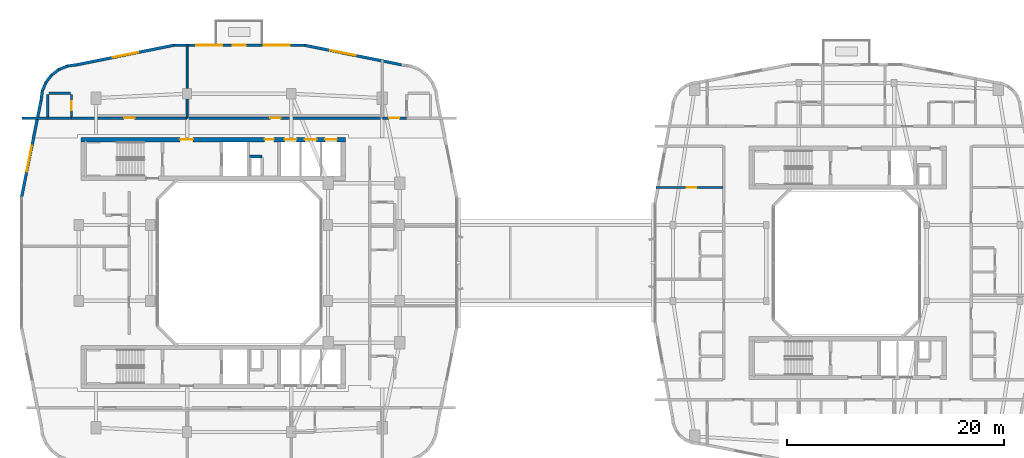
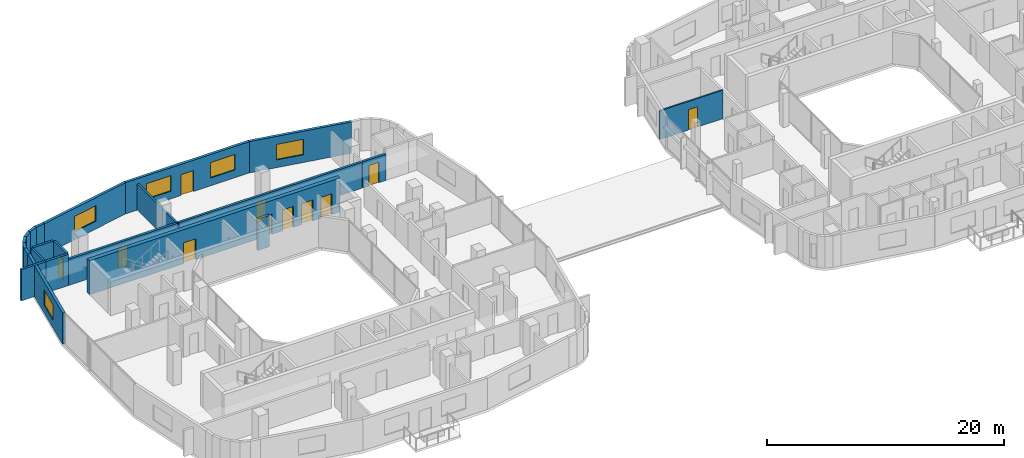
# One storey, part 11 of 22: 22 walls, 11 doors, 5 windows, 16 openings.
"""IFC4 building model written with IfcOpenShell, lengths in metres."""

from ifc_helpers import new_model, si_unit, derived_unit, direction, frame, frame_2d, origin, place, context, subcontext, project, spatial, rectangle, extrude, material, layer, layer_set, type_object, element, fill, save


model = new_model("IFC4")

# Units and contexts
model_context = context("Model", 3, precision=1e-05, world=origin(), true_north=direction((0.0, 1.0)))
body_context = subcontext(model_context, "Body", "Model", "MODEL_VIEW")
ifc_project = project(units=[si_unit("LENGTHUNIT", "METRE"), si_unit("AREAUNIT", "SQUARE_METRE"), si_unit("VOLUMEUNIT", "CUBIC_METRE"), si_unit("PLANEANGLEUNIT", "RADIAN"), si_unit("MASSUNIT", "GRAM", prefix="KILO"), derived_unit("THERMALTRANSMITTANCEUNIT", [(si_unit("POWERUNIT", "WATT"), 1), (si_unit("LENGTHUNIT", "METRE"), -2), (si_unit("THERMODYNAMICTEMPERATUREUNIT", "KELVIN"), -1)])], contexts=[model_context])

# Site, building, storey
site_placement = place(None, origin())
site = spatial("IfcSite", under=ifc_project, at=site_placement, CompositionType="ELEMENT")
building_placement = place(site_placement, origin())
building = spatial("IfcBuilding", under=site, at=building_placement, Name="Kivonza Crest Hotel", CompositionType="ELEMENT")
storey_placement = place(building_placement, frame((0.0, 0.0, 124.0)))
storey = spatial("IfcBuildingStorey", under=building, at=storey_placement, Name="L33", CompositionType="ELEMENT", Elevation=124.0)

# Walls
ifc_material_1 = material(Name="High-density acoustic masonry inter-tenancy wall", Category="masonry")
ifc_layer_1 = layer(ifc_material_1, 0.179931640625)
ifc_layer_set_1 = layer_set([ifc_layer_1], Name="High-density acoustic masonry inter-tenancy wall")
wall_type_1 = type_object("IfcWallType", Name="WL-ACOU-180", PredefinedType="SOLIDWALL", material=ifc_layer_set_1)
wall_1_placement = place(storey_placement, frame((16.199951171875, 38.35009765625, 0.0), z_axis=(0.0, 0.0, 1.0), x_axis=(0.0, 1.0, 0.0)))
element("IfcWall", 1, at=wall_1_placement, inside=storey, type_object=wall_type_1, Name="L33 interior partition WA-L33-T1N-DIV1", PredefinedType="SOLIDWALL", context=body_context, shape_type="SweptSolid", body=[
    extrude(rectangle(XDim=6.789794921875, YDim=0.179931640625, at=frame_2d((3.39501953125, 0.0))), origin(), (0.0, 0.0, 1.0), 2.695068359375),
])
ifc_material_2 = material(Name="Autoclaved aerated concrete blockwork", Category="masonry")
ifc_layer_2 = layer(ifc_material_2, 0.219970703125)
ifc_layer_set_2 = layer_set([ifc_layer_2], Name="Autoclaved aerated concrete blockwork")
wall_type_2 = type_object("IfcWallType", Name="WL-ACOU-220", PredefinedType="SOLIDWALL", material=ifc_layer_set_2)
wall_2_placement = place(storey_placement, frame((0.9599609375, 38.35009765625, 0.0), z_axis=(0.0, 0.0, 1.0), x_axis=(1.0, 0.0, 0.0)))
element("IfcWall", 2, at=wall_2_placement, inside=storey, type_object=wall_type_2, Name="L33 interior partition WA-L33-N01-XCORR", PredefinedType="SOLIDWALL", context=body_context, shape_type="SweptSolid", body=[
    extrude(rectangle(XDim=2.39013671875, YDim=0.219970703125, at=frame_2d((1.195068359375, 0.0))), origin(), (0.0, 0.0, 1.0), 3.219970703125),
])
wall_3_placement = place(storey_placement, frame((3.35009765625, 38.35009765625, 0.0), z_axis=(0.0, 0.0, 1.0), x_axis=(1.0, 0.0, 0.0)))
element("IfcWall", 3, at=wall_3_placement, inside=storey, type_object=wall_type_2, Name="L33 interior partition WA-L33-N01-BCORR", PredefinedType="SOLIDWALL", context=body_context, shape_type="SweptSolid", body=[
    extrude(rectangle(XDim=2.199951171875, YDim=0.219970703125, at=frame_2d((1.10009765625, 0.0))), origin(), (0.0, 0.0, 1.0), 3.219970703125),
])

# Wall, opening, door
wall_4_placement = place(storey_placement, frame((5.550048828125, 38.35009765625, 0.0), z_axis=(0.0, 0.0, 1.0), x_axis=(1.0, 0.0, 0.0)))
wall_4 = element("IfcWall", 4, at=wall_4_placement, inside=storey, type_object=wall_type_2, Name="L33 interior partition WA-L33-N01-MCORR", PredefinedType="SOLIDWALL", context=body_context, shape_type="SweptSolid", body=[
    extrude(rectangle(XDim=10.64990234375, YDim=0.219970703125, at=frame_2d((5.324951171875, 0.0))), origin(), (0.0, 0.0, 1.0), 2.695068359375),
])
opening_1_placement = place(wall_4_placement, frame((4.85009765625, 0.0, 0.0)))
opening_1 = element("IfcOpeningElement", 5, at=opening_1_placement, cuts=wall_4, Name="Opening DU-60", PredefinedType="OPENING", context=body_context, shape_type="SweptSolid", body=[
    extrude(rectangle(XDim=0.949951171875, YDim=2.10009765625, at=frame_2d((0.47509765625, 1.050048828125))), frame((0.0, 0.1201171875, 0.0), z_axis=(0.0, -1.0, 0.0), x_axis=(1.0, 0.0, 0.0)), (0.0, 0.0, 1.0), 0.239990234375),
])
ifc_material_3 = material(Name="Hardwood timber oak", Category="wood")
door_type_1 = type_object("IfcDoorType", Name="DR-UNIT-950", OperationType="NOTDEFINED", PredefinedType="DOOR", material=ifc_material_3)
door_1_placement = place(opening_1_placement, origin())
door_1 = element("IfcDoor", 6, at=door_1_placement, inside=storey, type_object=door_type_1, Name="L33 N01 guest unit entrance fire door", OperationType="SINGLE_SWING_LEFT", OverallHeight=2.10009765625, OverallWidth=0.949951171875, PredefinedType="DOOR", context=body_context, shape_type="SweptSolid", body=[
    extrude(rectangle(XDim=0.949951171875, YDim=2.10009765625, at=frame_2d((0.47509765625, 1.050048828125))), frame((0.0, 0.02490234375, 0.0), z_axis=(0.0, -1.0, 0.0), x_axis=(1.0, 0.0, 0.0)), (0.0, 0.0, 1.0), 0.050048828125),
])
fill(opening_1, door_1)

wall_5_placement = place(storey_placement, frame((16.300048828125, 38.35009765625, 0.0), z_axis=(0.0, 0.0, 1.0), x_axis=(1.0, 0.0, 0.0)))
wall_5 = element("IfcWall", 7, at=wall_5_placement, inside=storey, type_object=wall_type_2, Name="L33 interior partition WA-L33-HK-MAIN-S", PredefinedType="SOLIDWALL", context=body_context, shape_type="SweptSolid", body=[
    extrude(rectangle(XDim=17.800048828125, YDim=0.219970703125, at=frame_2d((8.89990234375, 0.0))), origin(), (0.0, 0.0, 1.0), 2.695068359375),
])
opening_2_placement = place(wall_5_placement, frame((7.572998046875, 0.0, 0.0)))
opening_2 = element("IfcOpeningElement", 8, at=opening_2_placement, cuts=wall_5, Name="Opening DF-60S", PredefinedType="OPENING", context=body_context, shape_type="SweptSolid", body=[
    extrude(rectangle(XDim=0.949951171875, YDim=2.10009765625, at=frame_2d((0.47509765625, 1.050048828125))), frame((0.0, 0.1201171875, 0.0), z_axis=(0.0, -1.0, 0.0), x_axis=(1.0, 0.0, 0.0)), (0.0, 0.0, 1.0), 0.239990234375),
])
door_type_2 = type_object("IfcDoorType", Name="DR-FD60-950", OperationType="NOTDEFINED", PredefinedType="DOOR", material=ifc_material_3)
door_2_placement = place(opening_2_placement, origin())
door_2 = element("IfcDoor", 9, at=door_2_placement, inside=storey, type_object=door_type_2, Name="L33 Housekeeping and Linen Room door", OperationType="SINGLE_SWING_RIGHT", OverallHeight=2.10009765625, OverallWidth=0.949951171875, PredefinedType="DOOR", context=body_context, shape_type="SweptSolid", body=[
    extrude(rectangle(XDim=0.949951171875, YDim=2.10009765625, at=frame_2d((0.47509765625, 1.050048828125))), frame((0.0, 0.02490234375, 0.0), z_axis=(0.0, -1.0, 0.0), x_axis=(1.0, 0.0, 0.0)), (0.0, 0.0, 1.0), 0.050048828125),
])
fill(opening_2, door_2)

wall_6_placement = place(storey_placement, frame((34.199951171875, 38.35009765625, 0.0), z_axis=(0.0, 0.0, 1.0), x_axis=(1.0, 0.0, 0.0)))
wall_6 = element("IfcWall", 10, at=wall_6_placement, inside=storey, type_object=wall_type_2, Name="L33 interior partition WA-L33-N02-MCORR", PredefinedType="SOLIDWALL", context=body_context, shape_type="SweptSolid", body=[
    extrude(rectangle(XDim=2.25, YDim=0.219970703125, at=frame_2d((1.125, 0.0))), origin(), (0.0, 0.0, 1.0), 2.695068359375),
])
opening_3_placement = place(wall_6_placement, frame((0.6298828125, 0.0, 0.0)))
opening_3 = element("IfcOpeningElement", 11, at=opening_3_placement, cuts=wall_6, Name="Opening DU-60", PredefinedType="OPENING", context=body_context, shape_type="SweptSolid", body=[
    extrude(rectangle(XDim=0.949951171875, YDim=2.10009765625, at=frame_2d((0.47509765625, 1.050048828125))), frame((0.0, 0.1201171875, 0.0), z_axis=(0.0, -1.0, 0.0), x_axis=(1.0, 0.0, 0.0)), (0.0, 0.0, 1.0), 0.239990234375),
])
door_3_placement = place(opening_3_placement, origin())
door_3 = element("IfcDoor", 12, at=door_3_placement, inside=storey, type_object=door_type_1, Name="L33 N02 guest unit entrance fire door", OperationType="SINGLE_SWING_RIGHT", OverallHeight=2.10009765625, OverallWidth=0.949951171875, PredefinedType="DOOR", context=body_context, shape_type="SweptSolid", body=[
    extrude(rectangle(XDim=0.949951171875, YDim=2.10009765625, at=frame_2d((0.47509765625, 1.050048828125))), frame((0.0, 0.02490234375, 0.0), z_axis=(0.0, -1.0, 0.0), x_axis=(1.0, 0.0, 0.0)), (0.0, 0.0, 1.0), 0.050048828125),
])
fill(opening_3, door_3)

# Wall, openings, doors
ifc_material_4 = material(Name="Concrete C50/60", Category="concrete")
ifc_layer_3 = layer(ifc_material_4, 0.39990234375)
ifc_layer_set_3 = layer_set([ifc_layer_3], Name="Concrete C50/60")
wall_type_3 = type_object("IfcWallType", Name="WL-CORE-400", PredefinedType="SHEAR", material=ifc_layer_set_3)
wall_7_placement = place(storey_placement, frame((6.39990234375, 36.360107421875, 0.0), z_axis=(0.0, 0.0, 1.0), x_axis=(1.0, 0.0, 0.0)))
wall_7 = element("IfcWall", 13, at=wall_7_placement, inside=storey, type_object=wall_type_3, Name="Core wall T1-N North L33", PredefinedType="SHEAR", context=body_context, shape_type="SweptSolid", body=[
    extrude(rectangle(XDim=24.400146484375, YDim=0.39990234375, at=frame_2d((12.2001953125, 0.0))), origin(), (0.0, 0.0, 1.0), 3.5),
])
opening_4_placement = place(wall_7_placement, frame((9.14990234375, 0.0, 0.0)))
opening_4 = element("IfcOpeningElement", 14, at=opening_4_placement, cuts=wall_7, Name="Opening DF-60", PredefinedType="OPENING", context=body_context, shape_type="SweptSolid", body=[
    extrude(rectangle(XDim=1.199951171875, YDim=2.14990234375, at=frame_2d((0.60009765625, 1.074951171875))), frame((0.0, 0.2099609375, 0.0), z_axis=(0.0, -1.0, 0.0), x_axis=(1.0, 0.0, 0.0)), (0.0, 0.0, 1.0), 0.419921875),
])
opening_5_placement = place(wall_7_placement, frame((16.93994140625, 0.0, 0.0)))
opening_5 = element("IfcOpeningElement", 15, at=opening_5_placement, cuts=wall_7, Name="Opening DF-60R", PredefinedType="OPENING", context=body_context, shape_type="SweptSolid", body=[
    extrude(rectangle(XDim=0.85009765625, YDim=2.10009765625, at=frame_2d((0.425048828125, 1.050048828125))), frame((0.0, 0.2099609375, 0.0), z_axis=(0.0, -1.0, 0.0), x_axis=(1.0, 0.0, 0.0)), (0.0, 0.0, 1.0), 0.419921875),
])
opening_6_placement = place(wall_7_placement, frame((18.782958984375, 0.0, 0.0)))
opening_6 = element("IfcOpeningElement", 16, at=opening_6_placement, cuts=wall_7, Name="Opening LD-120", PredefinedType="OPENING", context=body_context, shape_type="SweptSolid", body=[
    extrude(rectangle(XDim=1.10009765625, YDim=2.14990234375, at=frame_2d((0.550048828125, 1.074951171875))), frame((0.0, 0.2099609375, 0.0), z_axis=(0.0, -1.0, 0.0), x_axis=(1.0, 0.0, 0.0)), (0.0, 0.0, 1.0), 0.419921875),
])
opening_7_placement = place(wall_7_placement, frame((20.64990234375, 0.0, 0.0)))
opening_7 = element("IfcOpeningElement", 17, at=opening_7_placement, cuts=wall_7, Name="Opening LD-120", PredefinedType="OPENING", context=body_context, shape_type="SweptSolid", body=[
    extrude(rectangle(XDim=1.10009765625, YDim=2.14990234375, at=frame_2d((0.550048828125, 1.074951171875))), frame((0.0, 0.2099609375, 0.0), z_axis=(0.0, -1.0, 0.0), x_axis=(1.0, 0.0, 0.0)), (0.0, 0.0, 1.0), 0.419921875),
])
opening_8_placement = place(wall_7_placement, frame((22.51708984375, 0.0, 0.0)))
opening_8 = element("IfcOpeningElement", 18, at=opening_8_placement, cuts=wall_7, Name="Opening LD-120", PredefinedType="OPENING", context=body_context, shape_type="SweptSolid", body=[
    extrude(rectangle(XDim=1.10009765625, YDim=2.14990234375, at=frame_2d((0.550048828125, 1.074951171875))), frame((0.0, 0.2099609375, 0.0), z_axis=(0.0, -1.0, 0.0), x_axis=(1.0, 0.0, 0.0)), (0.0, 0.0, 1.0), 0.419921875),
])
door_type_3 = type_object("IfcDoorType", Name="DR-FD60-1200", OperationType="NOTDEFINED", PredefinedType="DOOR", material=ifc_material_3)
door_4_placement = place(opening_4_placement, origin())
door_4 = element("IfcDoor", 19, at=door_4_placement, inside=storey, type_object=door_type_3, Name="L33 T1-N firefighting lobby fire door", OperationType="SINGLE_SWING_RIGHT", OverallHeight=2.14990234375, OverallWidth=1.199951171875, PredefinedType="DOOR", context=body_context, shape_type="SweptSolid", body=[
    extrude(rectangle(XDim=1.199951171875, YDim=2.14990234375, at=frame_2d((0.60009765625, 1.074951171875))), frame((0.0, 0.02490234375, 0.0), z_axis=(0.0, -1.0, 0.0), x_axis=(1.0, 0.0, 0.0)), (0.0, 0.0, 1.0), 0.050048828125),
])
fill(opening_4, door_4)
door_type_4 = type_object("IfcDoorType", Name="DR-FD60-850", OperationType="NOTDEFINED", PredefinedType="DOOR", material=ifc_material_3)
door_5_placement = place(opening_5_placement, origin())
door_5 = element("IfcDoor", 20, at=door_5_placement, inside=storey, type_object=door_type_4, Name="L33 T1-N core room door", OperationType="SINGLE_SWING_RIGHT", OverallHeight=2.10009765625, OverallWidth=0.85009765625, PredefinedType="DOOR", context=body_context, shape_type="SweptSolid", body=[
    extrude(rectangle(XDim=0.85009765625, YDim=2.10009765625, at=frame_2d((0.425048828125, 1.050048828125))), frame((0.0, 0.02490234375, 0.0), z_axis=(0.0, -1.0, 0.0), x_axis=(1.0, 0.0, 0.0)), (0.0, 0.0, 1.0), 0.050048828125),
])
fill(opening_5, door_5)
ifc_material_5 = material(Name="Stainless steel", Category="steel")
door_type_5 = type_object("IfcDoorType", Name="DR-LD120-1100", OperationType="NOTDEFINED", PredefinedType="DOOR", material=ifc_material_5)
door_6_placement = place(opening_6_placement, origin())
door_6 = element("IfcDoor", 21, at=door_6_placement, inside=storey, type_object=door_type_5, Name="L33 PL-T1-L1 passenger lift sliding landing door", OperationType="DOUBLE_DOOR_SLIDING", OverallHeight=2.14990234375, OverallWidth=1.10009765625, PredefinedType="DOOR", context=body_context, shape_type="SweptSolid", body=[
    extrude(rectangle(XDim=1.10009765625, YDim=2.14990234375, at=frame_2d((0.550048828125, 1.074951171875))), frame((0.0, 0.02490234375, 0.0), z_axis=(0.0, -1.0, 0.0), x_axis=(1.0, 0.0, 0.0)), (0.0, 0.0, 1.0), 0.050048828125),
])
fill(opening_6, door_6)
door_7_placement = place(opening_7_placement, origin())
door_7 = element("IfcDoor", 22, at=door_7_placement, inside=storey, type_object=door_type_5, Name="L33 PL-T1-L2 passenger lift sliding landing door", OperationType="DOUBLE_DOOR_SLIDING", OverallHeight=2.14990234375, OverallWidth=1.10009765625, PredefinedType="DOOR", context=body_context, shape_type="SweptSolid", body=[
    extrude(rectangle(XDim=1.10009765625, YDim=2.14990234375, at=frame_2d((0.550048828125, 1.074951171875))), frame((0.0, 0.02490234375, 0.0), z_axis=(0.0, -1.0, 0.0), x_axis=(1.0, 0.0, 0.0)), (0.0, 0.0, 1.0), 0.050048828125),
])
fill(opening_7, door_7)
door_8_placement = place(opening_8_placement, origin())
door_8 = element("IfcDoor", 23, at=door_8_placement, inside=storey, type_object=door_type_5, Name="L33 PL-T1-L3 passenger lift sliding landing door", OperationType="DOUBLE_DOOR_SLIDING", OverallHeight=2.14990234375, OverallWidth=1.10009765625, PredefinedType="DOOR", context=body_context, shape_type="SweptSolid", body=[
    extrude(rectangle(XDim=1.10009765625, YDim=2.14990234375, at=frame_2d((0.550048828125, 1.074951171875))), frame((0.0, 0.02490234375, 0.0), z_axis=(0.0, -1.0, 0.0), x_axis=(1.0, 0.0, 0.0)), (0.0, 0.0, 1.0), 0.050048828125),
])
fill(opening_8, door_8)

# Wall, opening, window
ifc_material_6 = material(Name="Precast concrete C40/50", Category="concrete")
ifc_layer_4 = layer(ifc_material_6, 0.260009765625)
ifc_layer_set_4 = layer_set([ifc_layer_4], Name="Precast concrete C40/50")
wall_type_4 = type_object("IfcWallType", Name="WL-EXT-260", PredefinedType="STANDARD", material=ifc_layer_set_4)
wall_8_placement = place(storey_placement, frame((35.98193359375, 43.27099609375, 0.0), z_axis=(0.0, 0.0, 1.0), x_axis=(-0.980317172899, 0.197429077186, 0.0)))
wall_8 = element("IfcWall", 24, at=wall_8_placement, inside=storey, type_object=wall_type_4, Name="L33 T1 exterior insulated wall 25", PredefinedType="STANDARD", context=body_context, shape_type="SweptSolid", body=[
    extrude(rectangle(XDim=9.117431640625, YDim=0.260009765625, at=frame_2d((4.55859375, 0.0))), origin(), (0.0, 0.0, 1.0), 3.219970703125),
])
opening_9_placement = place(wall_8_placement, frame((4.304931640625, 0.0, 0.800048828125)))
opening_9 = element("IfcOpeningElement", 25, at=opening_9_placement, cuts=wall_8, Name="Opening WN-05", PredefinedType="OPENING", context=body_context, shape_type="SweptSolid", body=[
    extrude(rectangle(XDim=2.39990234375, YDim=1.60009765625, at=frame_2d((1.199951171875, 0.800048828125))), frame((0.0, 0.14013671875, 0.0), z_axis=(0.0, -1.0, 0.0), x_axis=(1.0, 0.0, 0.0)), (0.0, 0.0, 1.0), 0.280029296875),
])
ifc_material_7 = material(Name="Thermally broken bronze aluminium and low-E double glazing", Category="aluminium")
window_type = type_object("IfcWindowType", Name="WN-240x160", PartitioningType="TRIPLE_PANEL_VERTICAL", PredefinedType="WINDOW", material=ifc_material_7)
window_1_placement = place(opening_9_placement, origin())
window_1 = element("IfcWindow", 26, at=window_1_placement, inside=storey, type_object=window_type, Name="L33 T1 facade window 25", OverallHeight=1.60009765625, OverallWidth=2.39990234375, PartitioningType="SINGLE_PANEL", PredefinedType="WINDOW", context=body_context, shape_type="SweptSolid", body=[
    extrude(rectangle(XDim=2.39990234375, YDim=1.60009765625, at=frame_2d((1.199951171875, 0.800048828125))), frame((0.0, 0.030029296875, 0.0), z_axis=(0.0, -1.0, 0.0), x_axis=(1.0, 0.0, 0.0)), (0.0, 0.0, 1.0), 0.06005859375),
])
fill(opening_9, window_1)

# Wall, openings, door, windows
wall_9_placement = place(storey_placement, frame((27.0849609375, 45.070068359375, 0.0), z_axis=(0.0, 0.0, 1.0), x_axis=(-1.0, 0.0, 0.0)))
wall_9 = element("IfcWall", 27, at=wall_9_placement, inside=storey, type_object=wall_type_4, Name="L33 T1 exterior insulated wall 26", PredefinedType="STANDARD", context=body_context, shape_type="SweptSolid", body=[
    extrude(rectangle(XDim=12.135009765625, YDim=0.260009765625, at=frame_2d((6.0673828125, 0.0))), origin(), (0.0, 0.0, 1.0), 3.219970703125),
])
opening_10_placement = place(wall_9_placement, frame((5.485107421875, 0.0, 0.0)))
opening_10 = element("IfcOpeningElement", 28, at=opening_10_placement, cuts=wall_9, Name="Opening DT-120", PredefinedType="OPENING", context=body_context, shape_type="SweptSolid", body=[
    extrude(rectangle(XDim=1.199951171875, YDim=2.14990234375, at=frame_2d((0.60009765625, 1.074951171875))), frame((0.0, 0.14013671875, 0.0), z_axis=(0.0, -1.0, 0.0), x_axis=(1.0, 0.0, 0.0)), (0.0, 0.0, 1.0), 0.280029296875),
])
opening_11_placement = place(wall_9_placement, frame((1.43798828125, 0.0, 0.800048828125)))
opening_11 = element("IfcOpeningElement", 29, at=opening_11_placement, cuts=wall_9, Name="Opening WN-05", PredefinedType="OPENING", context=body_context, shape_type="SweptSolid", body=[
    extrude(rectangle(XDim=2.39990234375, YDim=1.60009765625, at=frame_2d((1.199951171875, 0.800048828125))), frame((0.0, 0.14013671875, 0.0), z_axis=(0.0, -1.0, 0.0), x_axis=(1.0, 0.0, 0.0)), (0.0, 0.0, 1.0), 0.280029296875),
])
opening_12_placement = place(wall_9_placement, frame((7.659912109375, 0.0, 0.800048828125)))
opening_12 = element("IfcOpeningElement", 30, at=opening_12_placement, cuts=wall_9, Name="Opening WN-05", PredefinedType="OPENING", context=body_context, shape_type="SweptSolid", body=[
    extrude(rectangle(XDim=2.39990234375, YDim=1.60009765625, at=frame_2d((1.199951171875, 0.800048828125))), frame((0.0, 0.14013671875, 0.0), z_axis=(0.0, -1.0, 0.0), x_axis=(1.0, 0.0, 0.0)), (0.0, 0.0, 1.0), 0.280029296875),
])
ifc_material_8 = material(Name="Anodised bronze aluminium and laminated safety glass", Category="aluminium")
door_type_6 = type_object("IfcDoorType", Name="DR-TERR-1200", OperationType="NOTDEFINED", PredefinedType="DOOR", material=ifc_material_8)
door_9_placement = place(opening_10_placement, frame((1.199951171875, 0.0, 0.0), z_axis=(0.0, 0.0, 1.0), x_axis=(-1.0, 0.0, 0.0)))
door_9 = element("IfcDoor", 31, at=door_9_placement, inside=storey, type_object=door_type_6, Name="T1 L33 NE sky-garden bridge access door", OperationType="SINGLE_SWING_LEFT", OverallHeight=2.14990234375, OverallWidth=1.199951171875, PredefinedType="DOOR", context=body_context, shape_type="SweptSolid", body=[
    extrude(rectangle(XDim=1.199951171875, YDim=2.14990234375, at=frame_2d((0.60009765625, 1.074951171875))), frame((0.0, 0.02490234375, 0.0), z_axis=(0.0, -1.0, 0.0), x_axis=(1.0, 0.0, 0.0)), (0.0, 0.0, 1.0), 0.050048828125),
])
fill(opening_10, door_9)
window_2_placement = place(opening_11_placement, origin())
window_2 = element("IfcWindow", 32, at=window_2_placement, inside=storey, type_object=window_type, Name="L33 T1 facade window 26 bay 1", OverallHeight=1.60009765625, OverallWidth=2.39990234375, PartitioningType="SINGLE_PANEL", PredefinedType="WINDOW", context=body_context, shape_type="SweptSolid", body=[
    extrude(rectangle(XDim=2.39990234375, YDim=1.60009765625, at=frame_2d((1.199951171875, 0.800048828125))), frame((0.0, 0.030029296875, 0.0), z_axis=(0.0, -1.0, 0.0), x_axis=(1.0, 0.0, 0.0)), (0.0, 0.0, 1.0), 0.06005859375),
])
fill(opening_11, window_2)
window_3_placement = place(opening_12_placement, origin())
window_3 = element("IfcWindow", 33, at=window_3_placement, inside=storey, type_object=window_type, Name="L33 T1 facade window 26 bay 2", OverallHeight=1.60009765625, OverallWidth=2.39990234375, PartitioningType="SINGLE_PANEL", PredefinedType="WINDOW", context=body_context, shape_type="SweptSolid", body=[
    extrude(rectangle(XDim=2.39990234375, YDim=1.60009765625, at=frame_2d((1.199951171875, 0.800048828125))), frame((0.0, 0.030029296875, 0.0), z_axis=(0.0, -1.0, 0.0), x_axis=(1.0, 0.0, 0.0)), (0.0, 0.0, 1.0), 0.06005859375),
])
fill(opening_12, window_3)

# Wall, opening, window
wall_10_placement = place(storey_placement, frame((14.990966796875, 45.077880859375, 0.0), z_axis=(0.0, 0.0, 1.0), x_axis=(-0.980321298532, -0.197408590603, 0.0)))
wall_10 = element("IfcWall", 34, at=wall_10_placement, inside=storey, type_object=wall_type_4, Name="L33 T1 exterior insulated wall 27", PredefinedType="STANDARD", context=body_context, shape_type="SweptSolid", body=[
    extrude(rectangle(XDim=9.153076171875, YDim=0.260009765625, at=frame_2d((4.57666015625, 0.0))), origin(), (0.0, 0.0, 1.0), 3.219970703125),
])
opening_13_placement = place(wall_10_placement, frame((3.376953125, 0.0, 0.800048828125)))
opening_13 = element("IfcOpeningElement", 35, at=opening_13_placement, cuts=wall_10, Name="Opening WN-05", PredefinedType="OPENING", context=body_context, shape_type="SweptSolid", body=[
    extrude(rectangle(XDim=2.39990234375, YDim=1.60009765625, at=frame_2d((1.199951171875, 0.800048828125))), frame((0.0, 0.14013671875, 0.0), z_axis=(0.0, -1.0, 0.0), x_axis=(1.0, 0.0, 0.0)), (0.0, 0.0, 1.0), 0.280029296875),
])
window_4_placement = place(opening_13_placement, origin())
window_4 = element("IfcWindow", 36, at=window_4_placement, inside=storey, type_object=window_type, Name="L33 T1 facade window 27", OverallHeight=1.60009765625, OverallWidth=2.39990234375, PartitioningType="SINGLE_PANEL", PredefinedType="WINDOW", context=body_context, shape_type="SweptSolid", body=[
    extrude(rectangle(XDim=2.39990234375, YDim=1.60009765625, at=frame_2d((1.199951171875, 0.800048828125))), frame((0.0, 0.030029296875, 0.0), z_axis=(0.0, -1.0, 0.0), x_axis=(1.0, 0.0, 0.0)), (0.0, 0.0, 1.0), 0.06005859375),
])
fill(opening_13, window_4)

# Walls
wall_11_placement = place(storey_placement, frame((6.02490234375, 43.27197265625, 0.0), z_axis=(0.0, 0.0, 1.0), x_axis=(-0.991388484223, -0.130953706898, 0.0)))
element("IfcWall", 37, at=wall_11_placement, inside=storey, type_object=wall_type_4, Name="L33 T1 exterior insulated wall 28", PredefinedType="STANDARD", context=body_context, shape_type="SweptSolid", body=[
    extrude(rectangle(XDim=0.885498046875, YDim=0.260009765625, at=frame_2d((0.44287109375, 0.0))), origin(), (0.0, 0.0, 1.0), 3.219970703125),
])
wall_12_placement = place(storey_placement, frame((5.193115234375, 43.174072265625, 0.0), z_axis=(0.0, 0.0, 1.0), x_axis=(-0.923627776508, -0.383290660547, 0.0)))
element("IfcWall", 38, at=wall_12_placement, inside=storey, type_object=wall_type_4, Name="L33 T1 exterior insulated wall 29", PredefinedType="STANDARD", context=body_context, shape_type="SweptSolid", body=[
    extrude(rectangle(XDim=0.9033203125, YDim=0.260009765625, at=frame_2d((0.45166015625, 0.0))), origin(), (0.0, 0.0, 1.0), 3.219970703125),
])
wall_13_placement = place(storey_placement, frame((4.39892578125, 42.85595703125, 0.0), z_axis=(0.0, 0.0, 1.0), x_axis=(-0.793458244748, -0.608624690463, 0.0)))
element("IfcWall", 39, at=wall_13_placement, inside=storey, type_object=wall_type_4, Name="L33 T1 exterior insulated wall 30", PredefinedType="STANDARD", context=body_context, shape_type="SweptSolid", body=[
    extrude(rectangle(XDim=0.902099609375, YDim=0.260009765625, at=frame_2d((0.451171875, 0.0))), origin(), (0.0, 0.0, 1.0), 3.219970703125),
])
wall_14_placement = place(storey_placement, frame((3.714111328125, 42.344970703125, 0.0), z_axis=(0.0, 0.0, 1.0), x_axis=(-0.608494022858, -0.793558456666, 0.0)))
element("IfcWall", 40, at=wall_14_placement, inside=storey, type_object=wall_type_4, Name="L33 T1 exterior insulated wall 31", PredefinedType="STANDARD", context=body_context, shape_type="SweptSolid", body=[
    extrude(rectangle(XDim=0.90234375, YDim=0.260009765625, at=frame_2d((0.451171875, 0.0))), origin(), (0.0, 0.0, 1.0), 3.219970703125),
])
wall_15_placement = place(storey_placement, frame((3.18603515625, 41.673095703125, 0.0), z_axis=(0.0, 0.0, 1.0), x_axis=(-0.383155708213, -0.923683767999, 0.0)))
element("IfcWall", 41, at=wall_15_placement, inside=storey, type_object=wall_type_4, Name="L33 T1 exterior insulated wall 32", PredefinedType="STANDARD", context=body_context, shape_type="SweptSolid", body=[
    extrude(rectangle(XDim=0.90283203125, YDim=0.260009765625, at=frame_2d((0.451416015625, 0.0))), origin(), (0.0, 0.0, 1.0), 3.219970703125),
])
wall_16_placement = place(storey_placement, frame((2.847900390625, 40.887939453125, 0.0), z_axis=(0.0, 0.0, 1.0), x_axis=(-0.130200706103, -0.991487658083, 0.0)))
element("IfcWall", 42, at=wall_16_placement, inside=storey, type_object=wall_type_4, Name="L33 T1 exterior insulated wall 33", PredefinedType="STANDARD", context=body_context, shape_type="SweptSolid", body=[
    extrude(rectangle(XDim=0.920654296875, YDim=0.260009765625, at=frame_2d((0.46044921875, 0.0))), origin(), (0.0, 0.0, 1.0), 3.219970703125),
])

# Wall, opening, window
wall_17_placement = place(storey_placement, frame((2.72900390625, 39.98193359375, 0.0), z_axis=(0.0, 0.0, 1.0), x_axis=(-0.197435082048, -0.980315963543, 0.0)))
wall_17 = element("IfcWall", 43, at=wall_17_placement, inside=storey, type_object=wall_type_4, Name="L33 T1 exterior insulated wall 34", PredefinedType="STANDARD", context=body_context, shape_type="SweptSolid", body=[
    extrude(rectangle(XDim=9.1826171875, YDim=0.260009765625, at=frame_2d((4.59130859375, 0.0))), origin(), (0.0, 0.0, 1.0), 3.219970703125),
])
opening_14_placement = place(wall_17_placement, frame((4.285888671875, 0.0, 0.800048828125)))
opening_14 = element("IfcOpeningElement", 44, at=opening_14_placement, cuts=wall_17, Name="Opening WN-05", PredefinedType="OPENING", context=body_context, shape_type="SweptSolid", body=[
    extrude(rectangle(XDim=2.39990234375, YDim=1.60009765625, at=frame_2d((1.199951171875, 0.800048828125))), frame((0.0, 0.14013671875, 0.0), z_axis=(0.0, -1.0, 0.0), x_axis=(1.0, 0.0, 0.0)), (0.0, 0.0, 1.0), 0.280029296875),
])
window_5_placement = place(opening_14_placement, origin())
window_5 = element("IfcWindow", 45, at=window_5_placement, inside=storey, type_object=window_type, Name="L33 T1 facade window 34", OverallHeight=1.60009765625, OverallWidth=2.39990234375, PartitioningType="SINGLE_PANEL", PredefinedType="WINDOW", context=body_context, shape_type="SweptSolid", body=[
    extrude(rectangle(XDim=2.39990234375, YDim=1.60009765625, at=frame_2d((1.199951171875, 0.800048828125))), frame((0.0, 0.030029296875, 0.0), z_axis=(0.0, -1.0, 0.0), x_axis=(1.0, 0.0, 0.0)), (0.0, 0.0, 1.0), 0.06005859375),
])
fill(opening_14, window_5)

# Wall
ifc_material_9 = material(Name="Concrete blockwork fire-compartment wall", Category="masonry")
ifc_layer_5 = layer(ifc_material_9, 0.25)
ifc_layer_set_5 = layer_set([ifc_layer_5], Name="Concrete blockwork fire-compartment wall")
wall_type_5 = type_object("IfcWallType", Name="WL-FIRE-250", PredefinedType="SOLIDWALL", material=ifc_layer_set_5)
wall_18_placement = place(storey_placement, frame((21.949951171875, 34.820068359375, 0.0), z_axis=(0.0, 0.0, 1.0), x_axis=(1.0, 0.0, 0.0)))
element("IfcWall", 46, at=wall_18_placement, inside=storey, type_object=wall_type_5, Name="L33 interior partition WA-L33-T1-N-MEPR-H", PredefinedType="SOLIDWALL", context=body_context, shape_type="SweptSolid", body=[
    extrude(rectangle(XDim=1.150146484375, YDim=0.25, at=frame_2d((0.5751953125, 0.0))), origin(), (0.0, 0.0, 1.0), 3.219970703125),
])

# Wall, opening, door
ifc_material_10 = material(Name="Twin-stud acoustic gypsum board partition", Category="gypsum")
ifc_layer_6 = layer(ifc_material_10, 0.14990234375)
ifc_layer_set_6 = layer_set([ifc_layer_6], Name="Twin-stud acoustic gypsum board partition")
wall_type_6 = type_object("IfcWallType", Name="WL-PART-150", PredefinedType="PARTITIONING", material=ifc_layer_set_6)
wall_19_placement = place(storey_placement, frame((59.4599609375, 31.9599609375, 0.0), z_axis=(0.0, 0.0, 1.0), x_axis=(1.0, 0.0, 0.0)))
wall_19 = element("IfcWall", 47, at=wall_19_placement, inside=storey, type_object=wall_type_6, Name="L33 interior partition WP-L33-A07-BD1", PredefinedType="PARTITIONING", context=body_context, shape_type="SweptSolid", body=[
    extrude(rectangle(XDim=6.14013671875, YDim=0.14990234375, at=frame_2d((3.070068359375, 0.0))), origin(), (0.0, 0.0, 1.0), 2.945068359375),
])
opening_15_placement = place(wall_19_placement, frame((2.7900390625, 0.0, 0.0)))
opening_15 = element("IfcOpeningElement", 48, at=opening_15_placement, cuts=wall_19, Name="Opening DI-90", PredefinedType="OPENING", context=body_context, shape_type="SweptSolid", body=[
    extrude(rectangle(XDim=0.89990234375, YDim=2.10009765625, at=frame_2d((0.449951171875, 1.050048828125))), frame((0.0, 0.0849609375, 0.0), z_axis=(0.0, -1.0, 0.0), x_axis=(1.0, 0.0, 0.0)), (0.0, 0.0, 1.0), 0.169921875),
])
door_type_7 = type_object("IfcDoorType", Name="DR-INT-900", OperationType="NOTDEFINED", PredefinedType="DOOR", material=ifc_material_3)
door_10_placement = place(opening_15_placement, origin())
door_10 = element("IfcDoor", 49, at=door_10_placement, inside=storey, type_object=door_type_7, Name="L33 A07 bedroom door", OperationType="SINGLE_SWING_RIGHT", OverallHeight=2.10009765625, OverallWidth=0.89990234375, PredefinedType="DOOR", context=body_context, shape_type="SweptSolid", body=[
    extrude(rectangle(XDim=0.89990234375, YDim=2.10009765625, at=frame_2d((0.449951171875, 1.050048828125))), frame((0.0, 0.02490234375, 0.0), z_axis=(0.0, -1.0, 0.0), x_axis=(1.0, 0.0, 0.0)), (0.0, 0.0, 1.0), 0.050048828125),
])
fill(opening_15, door_10)

ifc_material_11 = material(Name="Moisture-resistant plumbing chase partition wall", Category="gypsum")
ifc_layer_7 = layer(ifc_material_11, 0.199951171875)
ifc_layer_set_7 = layer_set([ifc_layer_7], Name="Moisture-resistant plumbing chase partition wall")
wall_type_7 = type_object("IfcWallType", Name="WL-PLUMB-200", PredefinedType="PLUMBINGWALL", material=ifc_layer_set_7)
wall_20_placement = place(storey_placement, frame((5.550048828125, 38.449951171875, 0.0), z_axis=(0.0, 0.0, 1.0), x_axis=(0.0, 1.0, 0.0)))
wall_20 = element("IfcWall", 50, at=wall_20_placement, inside=storey, type_object=wall_type_7, Name="L33 interior partition WW-L33-N01-BV", PredefinedType="PLUMBINGWALL", context=body_context, shape_type="SweptSolid", body=[
    extrude(rectangle(XDim=2.10009765625, YDim=0.199951171875, at=frame_2d((1.050048828125, 0.0))), origin(), (0.0, 0.0, 1.0), 3.219970703125),
])
opening_16_placement = place(wall_20_placement, frame((0.625, 0.0, 0.0)))
opening_16 = element("IfcOpeningElement", 51, at=opening_16_placement, cuts=wall_20, Name="Opening DI-85", PredefinedType="OPENING", context=body_context, shape_type="SweptSolid", body=[
    extrude(rectangle(XDim=0.85009765625, YDim=2.10009765625, at=frame_2d((0.425048828125, 1.050048828125))), frame((0.0, 0.10986328125, 0.0), z_axis=(0.0, -1.0, 0.0), x_axis=(1.0, 0.0, 0.0)), (0.0, 0.0, 1.0), 0.219970703125),
])
door_type_8 = type_object("IfcDoorType", Name="DR-INT-850", OperationType="NOTDEFINED", PredefinedType="DOOR", material=ifc_material_3)
door_11_placement = place(opening_16_placement, frame((0.85009765625, 0.0, 0.0), z_axis=(0.0, 0.0, 1.0), x_axis=(-1.0, 0.0, 0.0)))
door_11 = element("IfcDoor", 52, at=door_11_placement, inside=storey, type_object=door_type_8, Name="L33 N01 en-suite bathroom door", OperationType="SINGLE_SWING_RIGHT", OverallHeight=2.10009765625, OverallWidth=0.85009765625, PredefinedType="DOOR", context=body_context, shape_type="SweptSolid", body=[
    extrude(rectangle(XDim=0.85009765625, YDim=2.10009765625, at=frame_2d((0.425048828125, 1.050048828125))), frame((0.0, 0.02490234375, 0.0), z_axis=(0.0, -1.0, 0.0), x_axis=(1.0, 0.0, 0.0)), (0.0, 0.0, 1.0), 0.050048828125),
])
fill(opening_16, door_11)

# Walls
wall_21_placement = place(storey_placement, frame((3.449951171875, 40.64990234375, 0.0), z_axis=(0.0, 0.0, 1.0), x_axis=(1.0, 0.0, 0.0)))
element("IfcWall", 53, at=wall_21_placement, inside=storey, type_object=wall_type_7, Name="L33 interior partition WW-L33-N01-BH", PredefinedType="PLUMBINGWALL", context=body_context, shape_type="SweptSolid", body=[
    extrude(rectangle(XDim=2.0, YDim=0.199951171875, at=frame_2d((1.0, 0.0))), origin(), (0.0, 0.0, 1.0), 3.219970703125),
])
wall_22_placement = place(storey_placement, frame((3.35009765625, 38.449951171875, 0.0), z_axis=(0.0, 0.0, 1.0), x_axis=(0.0, 1.0, 0.0)))
element("IfcWall", 54, at=wall_22_placement, inside=storey, type_object=wall_type_7, Name="L33 interior partition WW-L33-N01-BVW", PredefinedType="PLUMBINGWALL", context=body_context, shape_type="SweptSolid", body=[
    extrude(rectangle(XDim=2.10009765625, YDim=0.199951171875, at=frame_2d((1.050048828125, 0.0))), origin(), (0.0, 0.0, 1.0), 3.219970703125),
])

save(model, "model.ifc")
